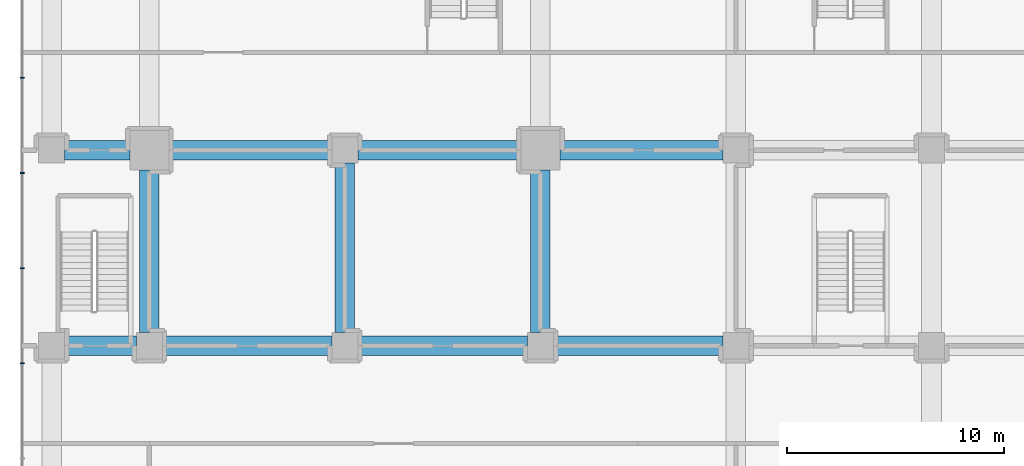
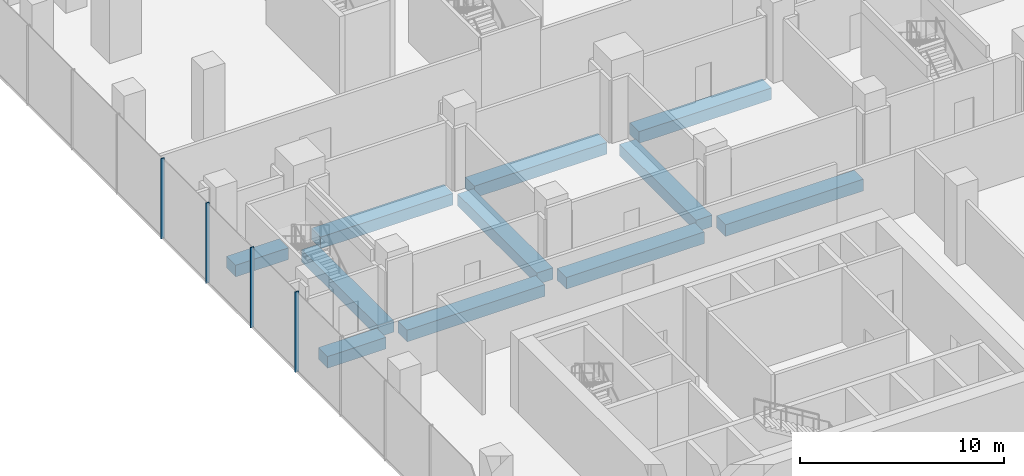
# One storey, part 10 of 42: 11 beams, 4 members, 1 element without a shape of its own.
"""IFC4 building model written with IfcOpenShell, lengths in metres."""

from ifc_helpers import new_model, si_unit, direction, frame, origin, origin_2d, place, context, subcontext, project, spatial, rectangle, extrude, material, layer, layer_set, material_profile, profile_set, type_object, element, aggregate, save


model = new_model("IFC4")

# Units and contexts
model_context = context("Model", 3, precision=1e-05, world=origin(), true_north=direction((0.0, 1.0)))
body_context = subcontext(model_context, "Body", "Model", "MODEL_VIEW")
ifc_project = project(units=[si_unit("LENGTHUNIT", "METRE"), si_unit("AREAUNIT", "SQUARE_METRE"), si_unit("VOLUMEUNIT", "CUBIC_METRE"), si_unit("PLANEANGLEUNIT", "RADIAN"), si_unit("MASSUNIT", "GRAM", prefix="KILO")], contexts=[model_context])

# Site, building, storey
site_placement = place(None, origin())
site = spatial("IfcSite", under=ifc_project, at=site_placement, CompositionType="ELEMENT")
building_placement = place(site_placement, origin())
building = spatial("IfcBuilding", under=site, at=building_placement, Name="Plateau Cross Towers", CompositionType="ELEMENT")
storey_placement = place(building_placement, frame((0.0, 0.0, 8.0)))
storey = spatial("IfcBuildingStorey", under=building, at=storey_placement, Name="L01", CompositionType="ELEMENT", Elevation=8.0)

# Curtain wall, members
ifc_material_1 = material(Name="Dark low-iron laminated glass", Category="glass")
ifc_layer = layer(ifc_material_1, 0.300048828125)
ifc_layer_set = layer_set([ifc_layer], Name="Dark low-iron laminated glass")
curtain_wall_type = type_object("IfcCurtainWallType", Name="Curtain wall structural silicone CW-C", PredefinedType="NOTDEFINED", material=ifc_layer_set)
curtain_wall_placement = place(storey_placement, origin())
curtain_wall = element("IfcCurtainWall", 1, at=curtain_wall_placement, inside=storey, type_object=curtain_wall_type, Name="ENV/P/L01/P-58_568", PredefinedType="NOTDEFINED")
ifc_material_2 = material(Name="Black anodised aluminium", Category="aluminium")
ifc_material_profile_1 = material_profile(ifc_material_2, rectangle(XDim=0.050048828125, YDim=0.199951171875, at=origin_2d()), Name="MULLION 50x200")
ifc_profile_set_1 = profile_set([ifc_material_profile_1], Name="Black anodised aluminium")
member_type = type_object("IfcMemberType", Name="Mullion 50x200 structural silicone", PredefinedType="MULLION", material=ifc_profile_set_1)
member_1_placement = place(storey_placement, frame((-5.85009765625, 39.330078125, -0.35009765625), z_axis=(0.0, 0.0, 1.0), x_axis=(0.0, -1.0, 0.0)))
member_1 = element("IfcMember", 2, at=member_1_placement, type_object=member_type, Name="CW-C mullion 5", PredefinedType="MULLION", context=body_context, shape_type="SweptSolid", body=[
    extrude(rectangle(XDim=0.050048828125, YDim=0.199951171875, at=origin_2d()), origin(), (0.0, 0.0, 1.0), 4.800048828125),
])
member_2_placement = place(storey_placement, frame((-5.85009765625, 34.949951171875, -0.35009765625), z_axis=(0.0, 0.0, 1.0), x_axis=(0.0, -1.0, 0.0)))
member_2 = element("IfcMember", 3, at=member_2_placement, type_object=member_type, Name="CW-C mullion 6", PredefinedType="MULLION", context=body_context, shape_type="SweptSolid", body=[
    extrude(rectangle(XDim=0.050048828125, YDim=0.199951171875, at=origin_2d()), origin(), (0.0, 0.0, 1.0), 4.800048828125),
])
member_3_placement = place(storey_placement, frame((-5.85009765625, 30.570068359375, -0.35009765625), z_axis=(0.0, 0.0, 1.0), x_axis=(0.0, -1.0, 0.0)))
member_3 = element("IfcMember", 4, at=member_3_placement, type_object=member_type, Name="CW-C mullion 7", PredefinedType="MULLION", context=body_context, shape_type="SweptSolid", body=[
    extrude(rectangle(XDim=0.050048828125, YDim=0.199951171875, at=origin_2d()), origin(), (0.0, 0.0, 1.0), 4.800048828125),
])
member_4_placement = place(storey_placement, frame((-5.85009765625, 26.18994140625, -0.35009765625), z_axis=(0.0, 0.0, 1.0), x_axis=(0.0, -1.0, 0.0)))
member_4 = element("IfcMember", 5, at=member_4_placement, type_object=member_type, Name="CW-C mullion 8", PredefinedType="MULLION", context=body_context, shape_type="SweptSolid", body=[
    extrude(rectangle(XDim=0.050048828125, YDim=0.199951171875, at=origin_2d()), origin(), (0.0, 0.0, 1.0), 4.800048828125),
])
aggregate(curtain_wall, [member_1, member_2, member_3, member_4])

# Beams
ifc_material_3 = material(Name="Concrete C50/60", Category="concrete")
ifc_material_profile_2 = material_profile(ifc_material_3, rectangle(XDim=0.89990234375, YDim=0.699951171875, at=origin_2d()), Name="RC 900x700")
ifc_profile_set_2 = profile_set([ifc_material_profile_2], Name="Concrete C50/60")
beam_type = type_object("IfcBeamType", Name="Podium band beam RC 900x700", PredefinedType="BEAM", material=ifc_profile_set_2)
beam_1_placement = place(storey_placement, frame((-3.89990234375, 27.0, -0.699951171875), z_axis=(1.0, 0.0, 0.0), x_axis=(0.0, 1.0, 0.0)))
element("IfcBeam", 6, at=beam_1_placement, inside=storey, type_object=beam_type, Name="PB32@L01", PredefinedType="BEAM", context=body_context, shape_type="SweptSolid", body=[
    extrude(rectangle(XDim=0.89990234375, YDim=0.699951171875, at=origin_2d()), origin(), (0.0, 0.0, 1.0), 3.2998046875),
])
for number, where, z_axis, x_axis, name in (
    (7, (0.60009765625, 27.0, -0.699951171875), (1.0, 0.0, 0.0), (0.0, 1.0, 0.0), "PB33@L01"),
    (8, (9.60009765625, 27.0, -0.699951171875), (1.0, 0.0, 0.0), (0.0, 1.0, 0.0), "PB34@L01"),
    (9, (18.60009765625, 27.0, -0.699951171875), (1.0, 0.0, 0.0), (0.0, 1.0, 0.0), "PB35@L01"),
):
    element("IfcBeam", number, at=place(storey_placement, frame(where, z_axis=z_axis, x_axis=x_axis)), inside=storey, type_object=beam_type, Name=name, PredefinedType="BEAM", context=body_context, shape_type="SweptSolid", body=[
        extrude(rectangle(XDim=0.89990234375, YDim=0.699951171875, at=origin_2d()), origin(), (0.0, 0.0, 1.0), 7.7998046875),
    ])
beam_2_placement = place(storey_placement, frame((-3.89990234375, 36.0, -0.699951171875), z_axis=(1.0, 0.0, 0.0), x_axis=(0.0, 1.0, 0.0)))
element("IfcBeam", 10, at=beam_2_placement, inside=storey, type_object=beam_type, Name="PB45@L01", PredefinedType="BEAM", context=body_context, shape_type="SweptSolid", body=[
    extrude(rectangle(XDim=0.89990234375, YDim=0.699951171875, at=origin_2d()), origin(), (0.0, 0.0, 1.0), 3.0),
])
for number, where, z_axis, x_axis, name in (
    (11, (0.89990234375, 36.0, -0.699951171875), (1.0, 0.0, 0.0), (0.0, 1.0, 0.0), "PB46@L01"),
    (12, (9.60009765625, 36.0, -0.699951171875), (1.0, 0.0, 0.0), (0.0, 1.0, 0.0), "PB47@L01"),
    (13, (18.89990234375, 36.0, -0.699951171875), (1.0, 0.0, 0.0), (0.0, 1.0, 0.0), "PB48@L01"),
    (14, (0.0, 27.60009765625, -0.699951171875), (0.0, 1.0, 0.0), (-1.0, 0.0, 0.0), "PB102@L01"),
):
    element("IfcBeam", number, at=place(storey_placement, frame(where, z_axis=z_axis, x_axis=x_axis)), inside=storey, type_object=beam_type, Name=name, PredefinedType="BEAM", context=body_context, shape_type="SweptSolid", body=[
        extrude(rectangle(XDim=0.89990234375, YDim=0.699951171875, at=origin_2d()), origin(), (0.0, 0.0, 1.0), 7.5),
    ])
beam_3_placement = place(storey_placement, frame((9.0, 27.60009765625, -0.699951171875), z_axis=(0.0, 1.0, 0.0), x_axis=(-1.0, 0.0, 0.0)))
element("IfcBeam", 15, at=beam_3_placement, inside=storey, type_object=beam_type, Name="PB107@L01", PredefinedType="BEAM", context=body_context, shape_type="SweptSolid", body=[
    extrude(rectangle(XDim=0.89990234375, YDim=0.699951171875, at=origin_2d()), origin(), (0.0, 0.0, 1.0), 7.7998046875),
])
beam_4_placement = place(storey_placement, frame((18.0, 27.60009765625, -0.699951171875), z_axis=(0.0, 1.0, 0.0), x_axis=(-1.0, 0.0, 0.0)))
element("IfcBeam", 16, at=beam_4_placement, inside=storey, type_object=beam_type, Name="PB110@L01", PredefinedType="BEAM", context=body_context, shape_type="SweptSolid", body=[
    extrude(rectangle(XDim=0.89990234375, YDim=0.699951171875, at=origin_2d()), origin(), (0.0, 0.0, 1.0), 7.5),
])

save(model, "model.ifc")
